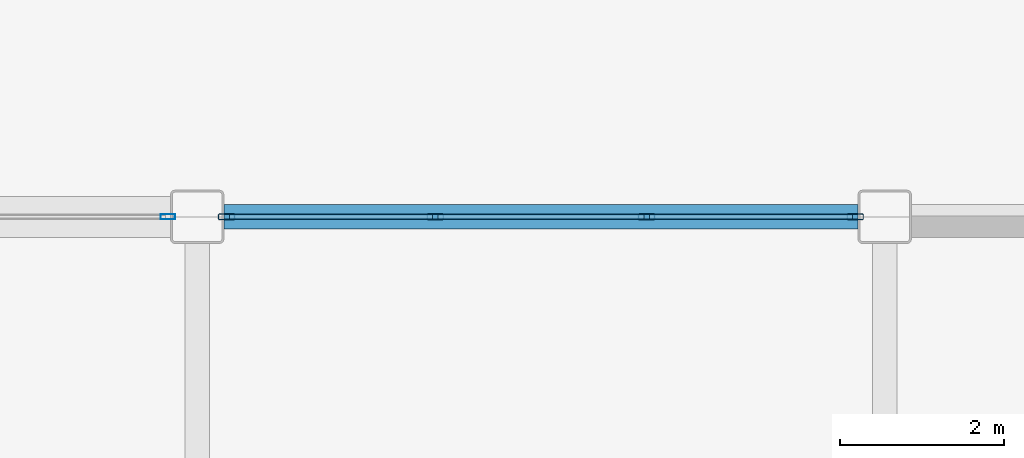
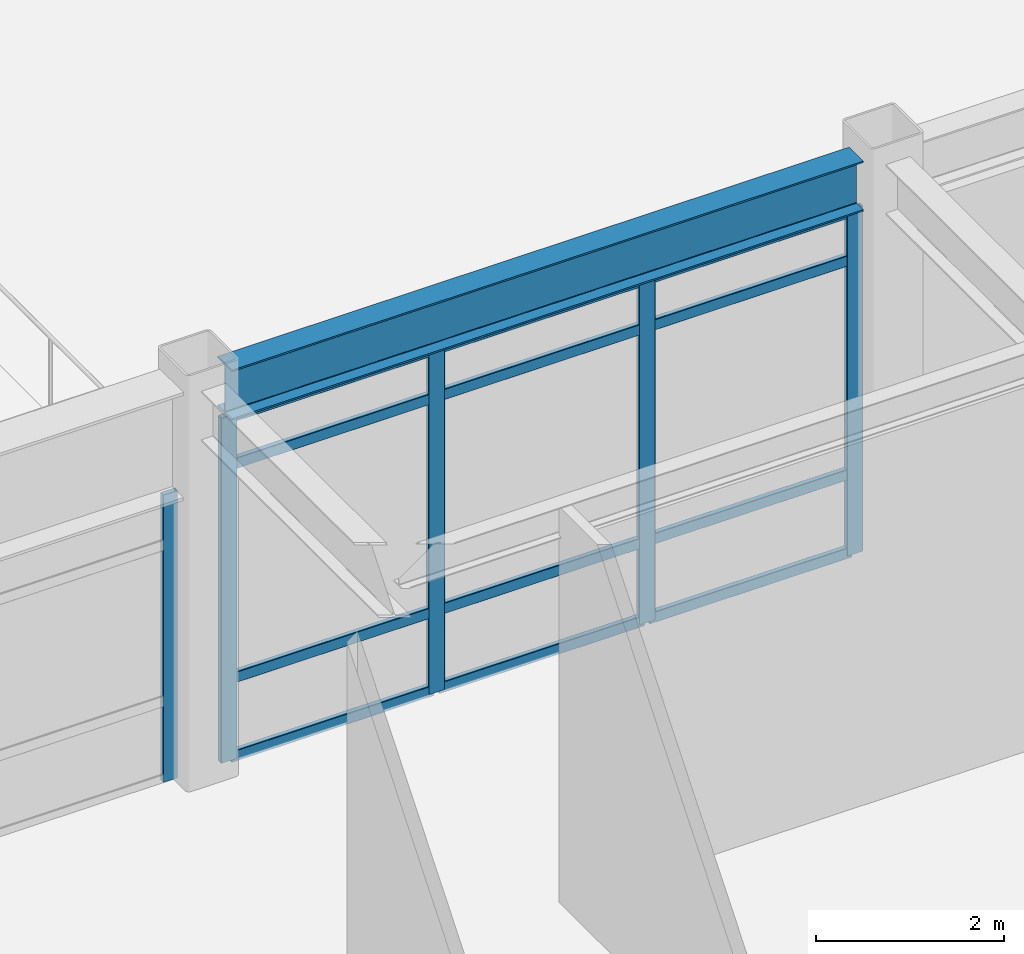
# One storey, part 59 of 165: 17 members, 1 beam, 2 elements without a shape of their own.
"""IFC4 building model written with IfcOpenShell, lengths in metres."""

from ifc_helpers import new_model, si_unit, direction, frame, origin, origin_2d, place, context, subcontext, project, spatial, hollow_rectangle, i_section, extrude, material, layer, layer_set, material_profile, profile_set, type_object, element, aggregate, save


model = new_model("IFC4")

# Units and contexts
model_context = context("Model", 3, precision=1e-05, world=origin(), true_north=direction((0.0, 1.0)))
body_context = subcontext(model_context, "Body", "Model", "MODEL_VIEW")
ifc_project = project(units=[si_unit("LENGTHUNIT", "METRE"), si_unit("AREAUNIT", "SQUARE_METRE"), si_unit("VOLUMEUNIT", "CUBIC_METRE"), si_unit("PLANEANGLEUNIT", "RADIAN"), si_unit("MASSUNIT", "GRAM", prefix="KILO")], contexts=[model_context])

# Site, building, storey
site_placement = place(None, origin())
site = spatial("IfcSite", under=ifc_project, at=site_placement, CompositionType="ELEMENT")
building_placement = place(site_placement, origin())
building = spatial("IfcBuilding", under=site, at=building_placement, Name="Kazehara Bluff Congress Hotel", CompositionType="ELEMENT")
storey_placement = place(building_placement, origin())
storey = spatial("IfcBuildingStorey", under=building, at=storey_placement, Name="L00", CompositionType="ELEMENT", Elevation=0.0)

# Curtain wall, member
ifc_material_1 = material(Name="Anodised aluminium", Category="aluminium")
ifc_layer_1 = layer(ifc_material_1, 0.159912109375)
ifc_layer_set_1 = layer_set([ifc_layer_1], Name="Anodised aluminium")
curtain_wall_type_1 = type_object("IfcCurtainWallType", Name="TP-CW-68", PredefinedType="NOTDEFINED", material=ifc_layer_set_1)
curtain_wall_1_placement = place(storey_placement, origin())
curtain_wall_1 = element("IfcCurtainWall", 1, at=curtain_wall_1_placement, inside=storey, type_object=curtain_wall_type_1, Name="L00 curtain wall CW-68 CW-V4-L00-Y5645-8500", PredefinedType="NOTDEFINED")
ifc_material_2 = material(Name="Anodised aluminium", Category="aluminium")
ifc_material_profile_1 = material_profile(ifc_material_2, hollow_rectangle(XDim=0.06494140625, YDim=0.179931640625, WallThickness=0.00390625, InnerFilletRadius=0.00390625, OuterFilletRadius=0.008056640625, at=origin_2d()))
ifc_profile_set_1 = profile_set([ifc_material_profile_1], Name="Anodised aluminium")
member_type_1 = type_object("IfcMemberType", Name="TP-CWM-02", PredefinedType="MULLION", material=ifc_profile_set_1)
member_1_placement = place(storey_placement, frame((92.492431640625, 56.449951171875, 0.0), z_axis=(0.0, 0.0, 1.0), x_axis=(0.0, 1.0, 0.0)))
member_1 = element("IfcMember", 2, at=member_1_placement, type_object=member_type_1, Name="CW-68 mullion 4", PredefinedType="MULLION", context=body_context, shape_type="SweptSolid", body=[
    extrude(hollow_rectangle(XDim=0.06494140625, YDim=0.179931640625, WallThickness=0.00390625, InnerFilletRadius=0.00390625, OuterFilletRadius=0.008056640625, at=origin_2d()), origin(), (0.0, 0.0, 1.0), 3.72509765625),
])
aggregate(curtain_wall_1, [member_1])

# Curtain wall, members
ifc_material_3 = material(Name="Anodised aluminium", Category="aluminium")
ifc_layer_2 = layer(ifc_material_3, 0.159912109375)
ifc_layer_set_2 = layer_set([ifc_layer_2], Name="Anodised aluminium")
curtain_wall_type_2 = type_object("IfcCurtainWallType", Name="TP-CW-69", PredefinedType="NOTDEFINED", material=ifc_layer_set_2)
curtain_wall_2_placement = place(storey_placement, origin())
curtain_wall_2 = element("IfcCurtainWall", 3, at=curtain_wall_2_placement, inside=storey, type_object=curtain_wall_type_2, Name="L00 curtain wall CW-69 CW-V4-L00-Y5645-9318", PredefinedType="NOTDEFINED")
ifc_material_4 = material(Name="Anodised aluminium", Category="aluminium")
ifc_material_profile_2 = material_profile(ifc_material_4, hollow_rectangle(XDim=0.070068359375, YDim=0.199951171875, WallThickness=0.0048828125, InnerFilletRadius=0.0048828125, OuterFilletRadius=0.010009765625, at=origin_2d()))
ifc_profile_set_2 = profile_set([ifc_material_profile_2], Name="Anodised aluminium")
member_type_2 = type_object("IfcMemberType", Name="TP-CWM-03", PredefinedType="MULLION", material=ifc_profile_set_2)
member_2_placement = place(storey_placement, frame((93.2099609375, 56.449951171875, 0.0), z_axis=(0.0, 0.0, 1.0), x_axis=(0.0, 1.0, 0.0)))
member_2 = element("IfcMember", 4, at=member_2_placement, type_object=member_type_2, Name="CW-69 mullion 1", PredefinedType="MULLION", context=body_context, shape_type="SweptSolid", body=[
    extrude(hollow_rectangle(XDim=0.070068359375, YDim=0.199951171875, WallThickness=0.0048828125, InnerFilletRadius=0.0048828125, OuterFilletRadius=0.010009765625, at=origin_2d()), origin(), (0.0, 0.0, 1.0), 4.47509765625),
])
member_3_placement = place(storey_placement, frame((95.75830078125, 56.449951171875, 0.0), z_axis=(0.0, 0.0, 1.0), x_axis=(0.0, 1.0, 0.0)))
member_3 = element("IfcMember", 5, at=member_3_placement, type_object=member_type_2, Name="CW-69 mullion 2", PredefinedType="MULLION", context=body_context, shape_type="SweptSolid", body=[
    extrude(hollow_rectangle(XDim=0.070068359375, YDim=0.199951171875, WallThickness=0.0048828125, InnerFilletRadius=0.0048828125, OuterFilletRadius=0.010009765625, at=origin_2d()), origin(), (0.0, 0.0, 1.0), 4.47509765625),
])
member_4_placement = place(storey_placement, frame((98.341552734375, 56.449951171875, 0.0), z_axis=(0.0, 0.0, 1.0), x_axis=(0.0, 1.0, 0.0)))
member_4 = element("IfcMember", 6, at=member_4_placement, type_object=member_type_2, Name="CW-69 mullion 3", PredefinedType="MULLION", context=body_context, shape_type="SweptSolid", body=[
    extrude(hollow_rectangle(XDim=0.070068359375, YDim=0.199951171875, WallThickness=0.0048828125, InnerFilletRadius=0.0048828125, OuterFilletRadius=0.010009765625, at=origin_2d()), origin(), (0.0, 0.0, 1.0), 4.47509765625),
])
member_5_placement = place(storey_placement, frame((100.889892578125, 56.449951171875, 0.0), z_axis=(0.0, 0.0, 1.0), x_axis=(0.0, 1.0, 0.0)))
member_5 = element("IfcMember", 7, at=member_5_placement, type_object=member_type_2, Name="CW-69 mullion 4", PredefinedType="MULLION", context=body_context, shape_type="SweptSolid", body=[
    extrude(hollow_rectangle(XDim=0.070068359375, YDim=0.199951171875, WallThickness=0.0048828125, InnerFilletRadius=0.0048828125, OuterFilletRadius=0.010009765625, at=origin_2d()), origin(), (0.0, 0.0, 1.0), 4.47509765625),
])
ifc_material_5 = material(Name="Anodised aluminium", Category="aluminium")
ifc_material_profile_3 = material_profile(ifc_material_5, hollow_rectangle(XDim=0.06494140625, YDim=0.139892578125, WallThickness=0.00390625, InnerFilletRadius=0.00390625, OuterFilletRadius=0.008056640625, at=origin_2d()))
ifc_profile_set_3 = profile_set([ifc_material_profile_3], Name="Anodised aluminium")
member_type_3 = type_object("IfcMemberType", Name="TP-CWT-02", PredefinedType="USERDEFINED", material=ifc_profile_set_3)
member_6_placement = place(storey_placement, frame((93.2451171875, 56.449951171875, 0.032470703125), z_axis=(1.0, 0.0, 0.0), x_axis=(0.0, 1.0, 0.0)))
member_6 = element("IfcMember", 8, at=member_6_placement, type_object=member_type_3, Name="CW-69 transom 1.1", ObjectType="TRANSOM", PredefinedType="USERDEFINED", context=body_context, shape_type="SweptSolid", body=[
    extrude(hollow_rectangle(XDim=0.06494140625, YDim=0.139892578125, WallThickness=0.00390625, InnerFilletRadius=0.00390625, OuterFilletRadius=0.008056640625, at=origin_2d()), origin(), (0.0, 0.0, 1.0), 2.478271484375),
])
member_7_placement = place(storey_placement, frame((93.2451171875, 56.449951171875, 1.050048828125), z_axis=(1.0, 0.0, 0.0), x_axis=(0.0, 1.0, 0.0)))
member_7 = element("IfcMember", 9, at=member_7_placement, type_object=member_type_3, Name="CW-69 transom 1.2", ObjectType="TRANSOM", PredefinedType="USERDEFINED", context=body_context, shape_type="SweptSolid", body=[
    extrude(hollow_rectangle(XDim=0.06494140625, YDim=0.139892578125, WallThickness=0.00390625, InnerFilletRadius=0.00390625, OuterFilletRadius=0.008056640625, at=origin_2d()), origin(), (0.0, 0.0, 1.0), 2.478271484375),
])
member_8_placement = place(storey_placement, frame((93.2451171875, 56.449951171875, 3.824951171875), z_axis=(1.0, 0.0, 0.0), x_axis=(0.0, 1.0, 0.0)))
member_8 = element("IfcMember", 10, at=member_8_placement, type_object=member_type_3, Name="CW-69 transom 1.3", ObjectType="TRANSOM", PredefinedType="USERDEFINED", context=body_context, shape_type="SweptSolid", body=[
    extrude(hollow_rectangle(XDim=0.06494140625, YDim=0.139892578125, WallThickness=0.00390625, InnerFilletRadius=0.00390625, OuterFilletRadius=0.008056640625, at=origin_2d()), origin(), (0.0, 0.0, 1.0), 2.478271484375),
])
member_9_placement = place(storey_placement, frame((93.2451171875, 56.449951171875, 4.4423828125), z_axis=(1.0, 0.0, 0.0), x_axis=(0.0, 1.0, 0.0)))
member_9 = element("IfcMember", 11, at=member_9_placement, type_object=member_type_3, Name="CW-69 transom 1.4", ObjectType="TRANSOM", PredefinedType="USERDEFINED", context=body_context, shape_type="SweptSolid", body=[
    extrude(hollow_rectangle(XDim=0.06494140625, YDim=0.139892578125, WallThickness=0.00390625, InnerFilletRadius=0.00390625, OuterFilletRadius=0.008056640625, at=origin_2d()), origin(), (0.0, 0.0, 1.0), 2.478271484375),
])
member_10_placement = place(storey_placement, frame((95.793212890625, 56.449951171875, 0.032470703125), z_axis=(1.0, 0.0, 0.0), x_axis=(0.0, 1.0, 0.0)))
member_10 = element("IfcMember", 12, at=member_10_placement, type_object=member_type_3, Name="CW-69 transom 2.1", ObjectType="TRANSOM", PredefinedType="USERDEFINED", context=body_context, shape_type="SweptSolid", body=[
    extrude(hollow_rectangle(XDim=0.06494140625, YDim=0.139892578125, WallThickness=0.00390625, InnerFilletRadius=0.00390625, OuterFilletRadius=0.008056640625, at=origin_2d()), origin(), (0.0, 0.0, 1.0), 2.513427734375),
])
member_11_placement = place(storey_placement, frame((95.793212890625, 56.449951171875, 1.050048828125), z_axis=(1.0, 0.0, 0.0), x_axis=(0.0, 1.0, 0.0)))
member_11 = element("IfcMember", 13, at=member_11_placement, type_object=member_type_3, Name="CW-69 transom 2.2", ObjectType="TRANSOM", PredefinedType="USERDEFINED", context=body_context, shape_type="SweptSolid", body=[
    extrude(hollow_rectangle(XDim=0.06494140625, YDim=0.139892578125, WallThickness=0.00390625, InnerFilletRadius=0.00390625, OuterFilletRadius=0.008056640625, at=origin_2d()), origin(), (0.0, 0.0, 1.0), 2.513427734375),
])
member_12_placement = place(storey_placement, frame((95.793212890625, 56.449951171875, 3.824951171875), z_axis=(1.0, 0.0, 0.0), x_axis=(0.0, 1.0, 0.0)))
member_12 = element("IfcMember", 14, at=member_12_placement, type_object=member_type_3, Name="CW-69 transom 2.3", ObjectType="TRANSOM", PredefinedType="USERDEFINED", context=body_context, shape_type="SweptSolid", body=[
    extrude(hollow_rectangle(XDim=0.06494140625, YDim=0.139892578125, WallThickness=0.00390625, InnerFilletRadius=0.00390625, OuterFilletRadius=0.008056640625, at=origin_2d()), origin(), (0.0, 0.0, 1.0), 2.513427734375),
])
member_13_placement = place(storey_placement, frame((95.793212890625, 56.449951171875, 4.4423828125), z_axis=(1.0, 0.0, 0.0), x_axis=(0.0, 1.0, 0.0)))
member_13 = element("IfcMember", 15, at=member_13_placement, type_object=member_type_3, Name="CW-69 transom 2.4", ObjectType="TRANSOM", PredefinedType="USERDEFINED", context=body_context, shape_type="SweptSolid", body=[
    extrude(hollow_rectangle(XDim=0.06494140625, YDim=0.139892578125, WallThickness=0.00390625, InnerFilletRadius=0.00390625, OuterFilletRadius=0.008056640625, at=origin_2d()), origin(), (0.0, 0.0, 1.0), 2.513427734375),
])
member_14_placement = place(storey_placement, frame((98.376708984375, 56.449951171875, 0.032470703125), z_axis=(1.0, 0.0, 0.0), x_axis=(0.0, 1.0, 0.0)))
member_14 = element("IfcMember", 16, at=member_14_placement, type_object=member_type_3, Name="CW-69 transom 3.1", ObjectType="TRANSOM", PredefinedType="USERDEFINED", context=body_context, shape_type="SweptSolid", body=[
    extrude(hollow_rectangle(XDim=0.06494140625, YDim=0.139892578125, WallThickness=0.00390625, InnerFilletRadius=0.00390625, OuterFilletRadius=0.008056640625, at=origin_2d()), origin(), (0.0, 0.0, 1.0), 2.478271484375),
])
member_15_placement = place(storey_placement, frame((98.376708984375, 56.449951171875, 1.050048828125), z_axis=(1.0, 0.0, 0.0), x_axis=(0.0, 1.0, 0.0)))
member_15 = element("IfcMember", 17, at=member_15_placement, type_object=member_type_3, Name="CW-69 transom 3.2", ObjectType="TRANSOM", PredefinedType="USERDEFINED", context=body_context, shape_type="SweptSolid", body=[
    extrude(hollow_rectangle(XDim=0.06494140625, YDim=0.139892578125, WallThickness=0.00390625, InnerFilletRadius=0.00390625, OuterFilletRadius=0.008056640625, at=origin_2d()), origin(), (0.0, 0.0, 1.0), 2.478271484375),
])
member_16_placement = place(storey_placement, frame((98.376708984375, 56.449951171875, 3.824951171875), z_axis=(1.0, 0.0, 0.0), x_axis=(0.0, 1.0, 0.0)))
member_16 = element("IfcMember", 18, at=member_16_placement, type_object=member_type_3, Name="CW-69 transom 3.3", ObjectType="TRANSOM", PredefinedType="USERDEFINED", context=body_context, shape_type="SweptSolid", body=[
    extrude(hollow_rectangle(XDim=0.06494140625, YDim=0.139892578125, WallThickness=0.00390625, InnerFilletRadius=0.00390625, OuterFilletRadius=0.008056640625, at=origin_2d()), origin(), (0.0, 0.0, 1.0), 2.478271484375),
])
member_17_placement = place(storey_placement, frame((98.376708984375, 56.449951171875, 4.4423828125), z_axis=(1.0, 0.0, 0.0), x_axis=(0.0, 1.0, 0.0)))
member_17 = element("IfcMember", 19, at=member_17_placement, type_object=member_type_3, Name="CW-69 transom 3.4", ObjectType="TRANSOM", PredefinedType="USERDEFINED", context=body_context, shape_type="SweptSolid", body=[
    extrude(hollow_rectangle(XDim=0.06494140625, YDim=0.139892578125, WallThickness=0.00390625, InnerFilletRadius=0.00390625, OuterFilletRadius=0.008056640625, at=origin_2d()), origin(), (0.0, 0.0, 1.0), 2.478271484375),
])
aggregate(curtain_wall_2, [member_2, member_3, member_4, member_5, member_6, member_7, member_8, member_9, member_10, member_11, member_12, member_13, member_14, member_15, member_16, member_17])

# Beam
ifc_material_6 = material(Name="Steel SN490B", Category="steel")
ifc_material_profile_4 = material_profile(ifc_material_6, i_section(OverallWidth=0.300048828125, OverallDepth=0.64990234375, WebThickness=0.011962890625, FlangeThickness=0.02001953125, FilletRadius=0.012939453125, at=origin_2d()))
ifc_profile_set_4 = profile_set([ifc_material_profile_4], Name="Steel SN490B")
beam_type = type_object("IfcBeamType", Name="TP-G-03", PredefinedType="BEAM", material=ifc_profile_set_4)
beam_placement = place(storey_placement, frame((93.175048828125, 56.449951171875, 4.824951171875), z_axis=(1.0, 0.0, 0.0), x_axis=(0.0, 1.0, 0.0)))
element("IfcBeam", 20, at=beam_placement, inside=storey, type_object=beam_type, Name="L00 girder G-03 217", PredefinedType="BEAM", context=body_context, shape_type="SweptSolid", body=[
    extrude(i_section(OverallWidth=0.300048828125, OverallDepth=0.64990234375, WebThickness=0.011962890625, FlangeThickness=0.02001953125, FilletRadius=0.012939453125, at=origin_2d()), origin(), (0.0, 0.0, 1.0), 7.75),
])

save(model, "model.ifc")
